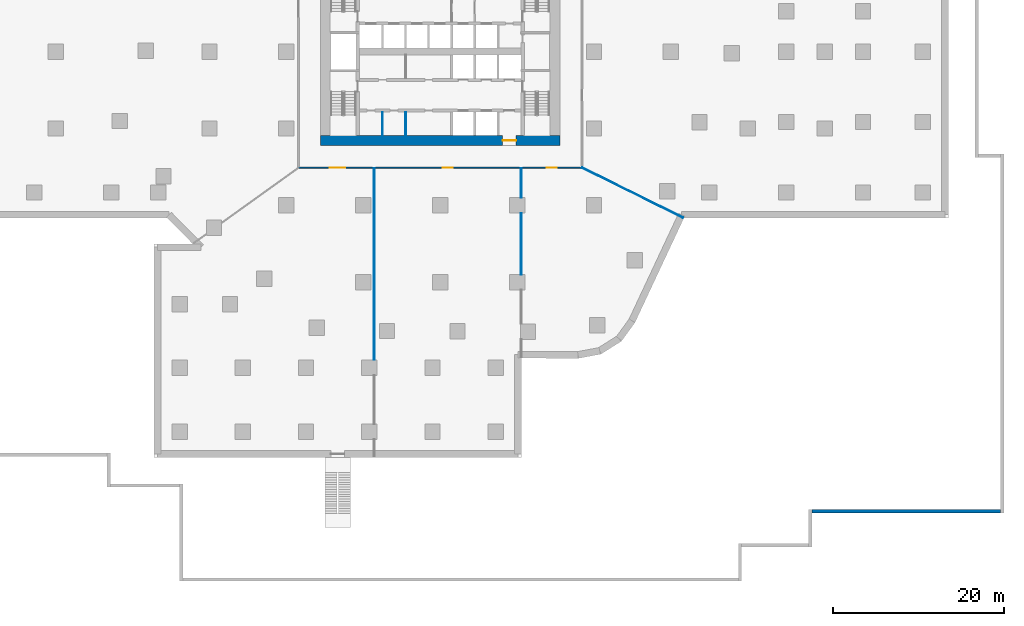
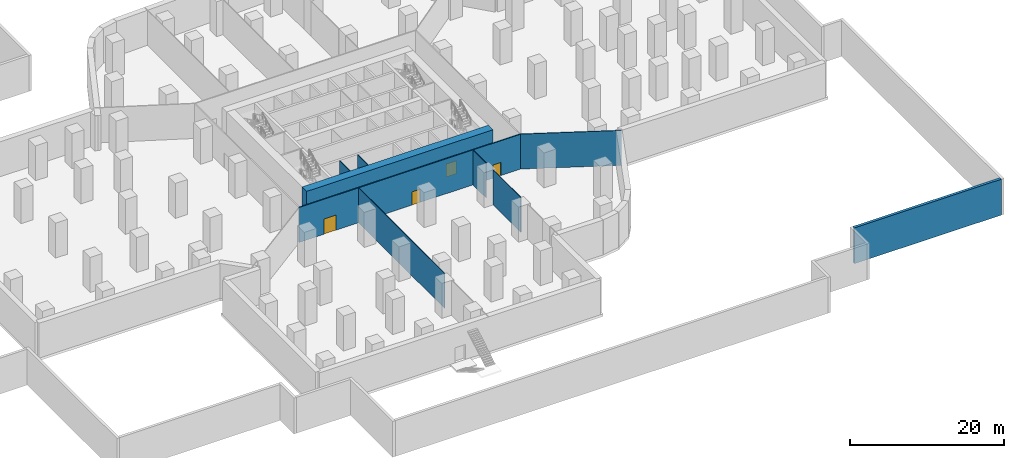
# One storey, part 4 of 11: 9 walls, 4 doors, 4 openings.
"""IFC4 building model written with IfcOpenShell, lengths in metres."""

from ifc_helpers import new_model, si_unit, direction, frame, frame_2d, origin, place, context, subcontext, project, spatial, rectangle, extrude, material, layer, layer_set, type_object, element, fill, save


model = new_model("IFC4")

# Units and contexts
model_context = context("Model", 3, precision=1e-05, world=origin(), true_north=direction((0.0, 1.0)))
body_context = subcontext(model_context, "Body", "Model", "MODEL_VIEW")
ifc_project = project(units=[si_unit("LENGTHUNIT", "METRE"), si_unit("AREAUNIT", "SQUARE_METRE"), si_unit("VOLUMEUNIT", "CUBIC_METRE"), si_unit("PLANEANGLEUNIT", "RADIAN"), si_unit("MASSUNIT", "GRAM", prefix="KILO")], contexts=[model_context])

# Site, building, storey
site_placement = place(None, origin())
site = spatial("IfcSite", under=ifc_project, at=site_placement, CompositionType="ELEMENT")
building_placement = place(site_placement, origin())
building = spatial("IfcBuilding", under=site, at=building_placement, Name="Dongbaek Canopy Tower", CompositionType="ELEMENT")
storey_placement = place(building_placement, frame((0.0, 0.0, -6.0)))
storey = spatial("IfcBuildingStorey", under=building, at=storey_placement, Name="B1", CompositionType="ELEMENT", Elevation=-6.0)

# Wall, opening, door
ifc_material_1 = material(Name="Concrete C60/75", Category="concrete")
ifc_layer_1 = layer(ifc_material_1, 1.199951171875)
ifc_layer_set_1 = layer_set([ifc_layer_1], Name="Core outer wall 1200 Concrete C60/75")
wall_type_1 = type_object("IfcWallType", Name="Core outer wall 1200 Concrete C60/75", PredefinedType="SHEAR", material=ifc_layer_set_1)
wall_1_placement = place(storey_placement, frame((14.0, -10.39990234375, 0.0), z_axis=(0.0, 0.0, 1.0), x_axis=(-1.0, 0.0, 0.0)))
wall_1 = element("IfcWall", 1, at=wall_1_placement, inside=storey, type_object=wall_type_1, Name="Core wall", PredefinedType="SHEAR", context=body_context, shape_type="SweptSolid", body=[
    extrude(rectangle(XDim=28.0, YDim=1.199951171875, at=frame_2d((14.0, 0.0))), origin(), (0.0, 0.0, 1.0), 5.550048828125),
])
opening_1_placement = place(wall_1_placement, frame((5.10009765625, 0.0, 0.0)))
opening_1 = element("IfcOpeningElement", 2, at=opening_1_placement, cuts=wall_1, Name="Opening B1-D031", PredefinedType="OPENING", context=body_context, shape_type="SweptSolid", body=[
    extrude(rectangle(XDim=1.60009765625, YDim=2.10009765625, at=frame_2d((0.800048828125, 1.050048828125))), frame((0.0, 0.60986328125, 0.0), z_axis=(0.0, -1.0, 0.0), x_axis=(1.0, 0.0, 0.0)), (0.0, 0.0, 1.0), 1.219970703125),
])
ifc_material_2 = material(Name="Steel", Category="steel")
door_type_1 = type_object("IfcDoorType", Name="Core exit door 1600 x 2100", OperationType="DOUBLE_DOOR_SINGLE_SWING", PredefinedType="DOOR", material=ifc_material_2)
door_1_placement = place(opening_1_placement, origin())
door_1 = element("IfcDoor", 3, at=door_1_placement, inside=storey, type_object=door_type_1, Name="Core exit door", OperationType="DOUBLE_DOOR_SINGLE_SWING", OverallHeight=2.10009765625, OverallWidth=1.60009765625, PredefinedType="DOOR", context=body_context, shape_type="SweptSolid", body=[
    extrude(rectangle(XDim=1.60009765625, YDim=2.10009765625, at=frame_2d((0.800048828125, 1.050048828125))), frame((0.0, 0.02490234375, 0.0), z_axis=(0.0, -1.0, 0.0), x_axis=(1.0, 0.0, 0.0)), (0.0, 0.0, 1.0), 0.050048828125),
])
fill(opening_1, door_1)

# Wall, openings, doors
ifc_material_3 = material(Name="Gypsum board partition, steel stud, 2 x 15 mm fire board", Category="steel")
ifc_layer_2 = layer(ifc_material_3, 0.14990234375)
ifc_layer_set_2 = layer_set([ifc_layer_2], Name="Fire-rated partition 150 gypsum board")
wall_type_2 = type_object("IfcWallType", Name="Fire-rated partition 150 gypsum board", PredefinedType="PARTITIONING", material=ifc_layer_set_2)
wall_2_placement = place(storey_placement, frame((16.675048828125, -13.60009765625, 0.0), z_axis=(0.0, 0.0, 1.0), x_axis=(-1.0, 0.0, 0.0)))
wall_2 = element("IfcWall", 4, at=wall_2_placement, inside=storey, type_object=wall_type_2, Name="Corridor partition", PredefinedType="PARTITIONING", context=body_context, shape_type="SweptSolid", body=[
    extrude(rectangle(XDim=33.35009765625, YDim=0.14990234375, at=frame_2d((16.675048828125, 0.0))), origin(), (0.0, 0.0, 1.0), 5.550048828125),
])
opening_2_placement = place(wall_2_placement, frame((27.77490234375, 0.0, 0.0)))
opening_2 = element("IfcOpeningElement", 5, at=opening_2_placement, cuts=wall_2, Name="Opening B1-D002", PredefinedType="OPENING", context=body_context, shape_type="SweptSolid", body=[
    extrude(rectangle(XDim=1.800048828125, YDim=2.39990234375, at=frame_2d((0.89990234375, 1.199951171875))), frame((0.0, 0.0849609375, 0.0), z_axis=(0.0, -1.0, 0.0), x_axis=(1.0, 0.0, 0.0)), (0.0, 0.0, 1.0), 0.169921875),
])
opening_3_placement = place(wall_2_placement, frame((15.175048828125, 0.0, 0.0)))
opening_3 = element("IfcOpeningElement", 6, at=opening_3_placement, cuts=wall_2, Name="Opening B1-D003", PredefinedType="OPENING", context=body_context, shape_type="SweptSolid", body=[
    extrude(rectangle(XDim=1.199951171875, YDim=2.10009765625, at=frame_2d((0.60009765625, 1.050048828125))), frame((0.0, 0.0849609375, 0.0), z_axis=(0.0, -1.0, 0.0), x_axis=(1.0, 0.0, 0.0)), (0.0, 0.0, 1.0), 0.169921875),
])
opening_4_placement = place(wall_2_placement, frame((3.02490234375, 0.0, 0.0)))
opening_4 = element("IfcOpeningElement", 7, at=opening_4_placement, cuts=wall_2, Name="Opening B1-D004", PredefinedType="OPENING", context=body_context, shape_type="SweptSolid", body=[
    extrude(rectangle(XDim=1.199951171875, YDim=2.10009765625, at=frame_2d((0.60009765625, 1.050048828125))), frame((0.0, 0.0849609375, 0.0), z_axis=(0.0, -1.0, 0.0), x_axis=(1.0, 0.0, 0.0)), (0.0, 0.0, 1.0), 0.169921875),
])
ifc_material_4 = material(Name="Timber veneered door leaf", Category="wood")
door_type_2 = type_object("IfcDoorType", Name="Hall double door 1800 x 2400", OperationType="DOUBLE_DOOR_SINGLE_SWING", PredefinedType="DOOR", material=ifc_material_4)
door_2_placement = place(opening_2_placement, origin())
door_2 = element("IfcDoor", 8, at=door_2_placement, inside=storey, type_object=door_type_2, Name="Door B1-D002", OperationType="DOUBLE_DOOR_SINGLE_SWING", OverallHeight=2.39990234375, OverallWidth=1.800048828125, PredefinedType="DOOR", context=body_context, shape_type="SweptSolid", body=[
    extrude(rectangle(XDim=1.800048828125, YDim=2.39990234375, at=frame_2d((0.89990234375, 1.199951171875))), frame((0.0, 0.02490234375, 0.0), z_axis=(0.0, -1.0, 0.0), x_axis=(1.0, 0.0, 0.0)), (0.0, 0.0, 1.0), 0.050048828125),
])
fill(opening_2, door_2)
ifc_material_5 = material(Name="Timber veneered door leaf", Category="wood")
door_type_3 = type_object("IfcDoorType", Name="Room door 1200 x 2100", OperationType="SINGLE_SWING_LEFT", PredefinedType="DOOR", material=ifc_material_5)
door_3_placement = place(opening_3_placement, origin())
door_3 = element("IfcDoor", 9, at=door_3_placement, inside=storey, type_object=door_type_3, Name="Door B1-D003", OperationType="SINGLE_SWING_RIGHT", OverallHeight=2.10009765625, OverallWidth=1.199951171875, PredefinedType="DOOR", context=body_context, shape_type="SweptSolid", body=[
    extrude(rectangle(XDim=1.199951171875, YDim=2.10009765625, at=frame_2d((0.60009765625, 1.050048828125))), frame((0.0, 0.02490234375, 0.0), z_axis=(0.0, -1.0, 0.0), x_axis=(1.0, 0.0, 0.0)), (0.0, 0.0, 1.0), 0.050048828125),
])
fill(opening_3, door_3)
door_4_placement = place(opening_4_placement, origin())
door_4 = element("IfcDoor", 10, at=door_4_placement, inside=storey, type_object=door_type_3, Name="Door B1-D004", OperationType="SINGLE_SWING_LEFT", OverallHeight=2.10009765625, OverallWidth=1.199951171875, PredefinedType="DOOR", context=body_context, shape_type="SweptSolid", body=[
    extrude(rectangle(XDim=1.199951171875, YDim=2.10009765625, at=frame_2d((0.60009765625, 1.050048828125))), frame((0.0, 0.02490234375, 0.0), z_axis=(0.0, -1.0, 0.0), x_axis=(1.0, 0.0, 0.0)), (0.0, 0.0, 1.0), 0.050048828125),
])
fill(opening_4, door_4)

# Walls
ifc_material_6 = material(Name="Gypsum board partition, steel stud, 2 x 12.5 mm board", Category="steel")
ifc_layer_3 = layer(ifc_material_6, 0.10009765625)
ifc_layer_set_3 = layer_set([ifc_layer_3], Name="Partition 100 gypsum board")
wall_type_3 = type_object("IfcWallType", Name="Partition 100 gypsum board", PredefinedType="PARTITIONING", material=ifc_layer_set_3)
wall_3_placement = place(storey_placement, frame((9.5, -26.10009765625, 0.0), z_axis=(0.0, 0.0, 1.0), x_axis=(0.0, 1.0, 0.0)))
element("IfcWall", 11, at=wall_3_placement, inside=storey, type_object=wall_type_3, Name="Partition", PredefinedType="PARTITIONING", context=body_context, shape_type="SweptSolid", body=[
    extrude(rectangle(XDim=7.2001953125, YDim=0.10009765625, at=frame_2d((3.60009765625, 0.0))), origin(), (0.0, 0.0, 1.0), 5.550048828125),
])
wall_4_placement = place(storey_placement, frame((9.5, -17.10009765625, 0.0), z_axis=(0.0, 0.0, 1.0), x_axis=(0.0, 1.0, 0.0)))
element("IfcWall", 12, at=wall_4_placement, inside=storey, type_object=wall_type_3, Name="Partition", PredefinedType="PARTITIONING", context=body_context, shape_type="SweptSolid", body=[
    extrude(rectangle(XDim=3.425048828125, YDim=0.10009765625, at=frame_2d((1.71240234375, 0.0))), origin(), (0.0, 0.0, 1.0), 5.550048828125),
])
wall_5_placement = place(storey_placement, frame((-7.699951171875, -36.10009765625, 0.0), z_axis=(0.0, 0.0, 1.0), x_axis=(0.0, 1.0, 0.0)))
element("IfcWall", 13, at=wall_5_placement, inside=storey, type_object=wall_type_3, Name="Partition", PredefinedType="PARTITIONING", context=body_context, shape_type="SweptSolid", body=[
    extrude(rectangle(XDim=22.425048828125, YDim=0.10009765625, at=frame_2d((11.21240234375, 0.0))), origin(), (0.0, 0.0, 1.0), 5.550048828125),
])
wall_6_placement = place(storey_placement, frame((16.599853515625, -13.600341796875, 0.0), z_axis=(0.0, 0.0, 1.0), x_axis=(0.896402741042, -0.443240483093, 0.0)))
element("IfcWall", 14, at=wall_6_placement, inside=storey, type_object=wall_type_3, Name="Partition", PredefinedType="PARTITIONING", context=body_context, shape_type="SweptSolid", body=[
    extrude(rectangle(XDim=13.189208984375, YDim=0.10009765625, at=frame_2d((6.5947265625, 0.0))), origin(), (0.0, 0.0, 1.0), 5.550048828125),
])
for number, where, z_axis, x_axis, name in (
    (15, (-4.050048828125, -9.800048828125, 0.0), (0.0, 0.0, 1.0), (0.0, 1.0, 0.0), "Core partition"),
    (16, (-6.75, -9.800048828125, 0.0), (0.0, 0.0, 1.0), (0.0, 1.0, 0.0), "Core partition"),
):
    element("IfcWall", number, at=place(storey_placement, frame(where, z_axis=z_axis, x_axis=x_axis)), inside=storey, type_object=wall_type_3, Name=name, PredefinedType="PARTITIONING", context=body_context, shape_type="SweptSolid", body=[
        extrude(rectangle(XDim=2.72509765625, YDim=0.10009765625, at=frame_2d((1.362548828125, 0.0))), origin(), (0.0, 0.0, 1.0), 5.550048828125),
    ])
ifc_material_7 = material(Name="Concrete C40/50", Category="concrete")
ifc_layer_4 = layer(ifc_material_7, 0.39990234375)
ifc_layer_set_4 = layer_set([ifc_layer_4], Name="Plaza plinth wall 400")
wall_type_4 = type_object("IfcWallType", Name="Plaza plinth wall 400", PredefinedType="SOLIDWALL", material=ifc_layer_set_4)
wall_7_placement = place(storey_placement, frame((43.5, -53.800048828125, 0.0), z_axis=(0.0, 0.0, 1.0), x_axis=(1.0, 0.0, 0.0)))
element("IfcWall", 17, at=wall_7_placement, inside=storey, type_object=wall_type_4, Name="Plaza plinth wall 6", PredefinedType="SOLIDWALL", context=body_context, shape_type="SweptSolid", body=[
    extrude(rectangle(XDim=22.10009765625, YDim=0.39990234375, at=frame_2d((11.050048828125, 0.0))), origin(), (0.0, 0.0, 1.0), 5.699951171875),
])

save(model, "model.ifc")
